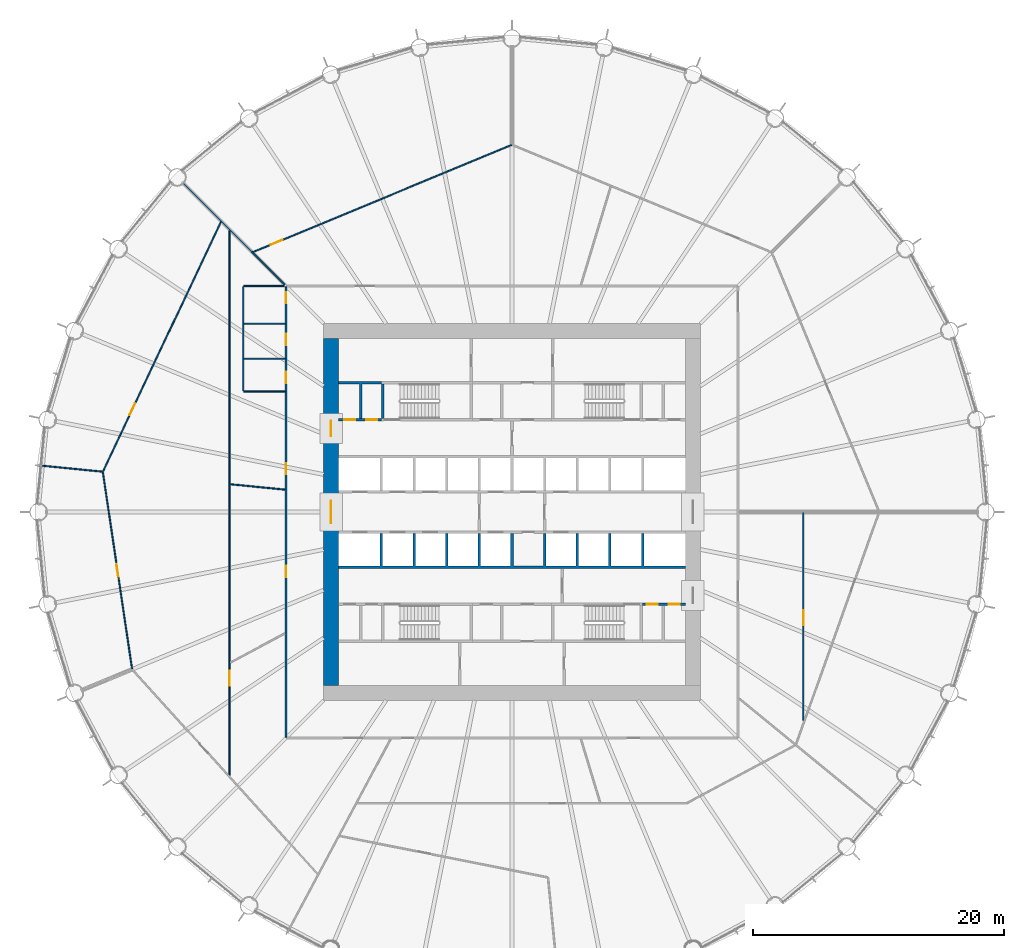
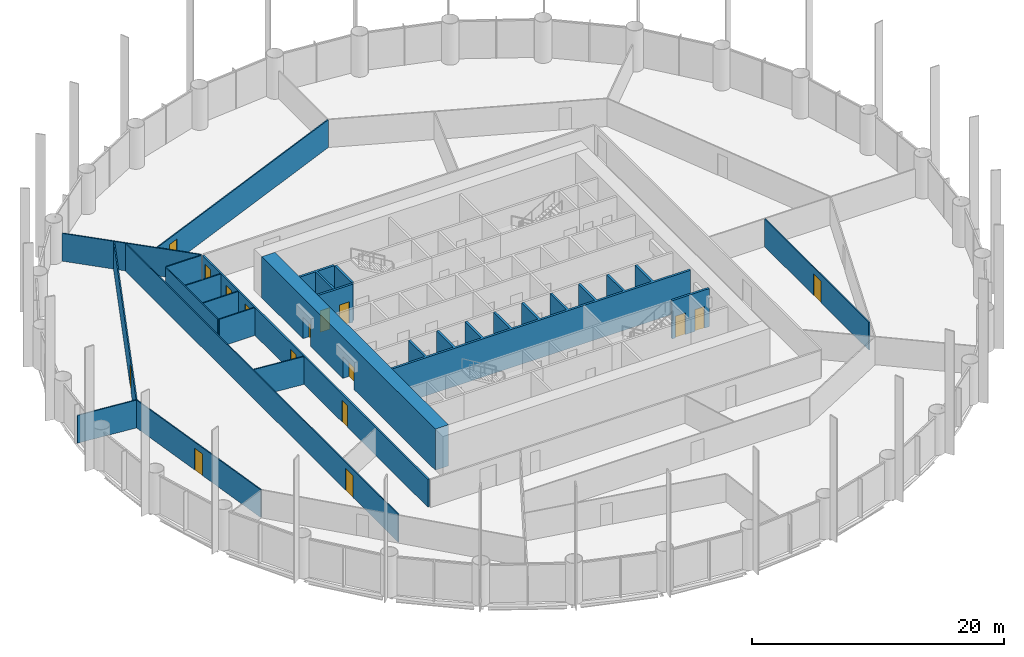
# One storey, part 10 of 15: 20 walls, 16 doors, 16 openings.
"""IFC4 building model written with IfcOpenShell, lengths in metres."""

import ifcopenshell
import ifcopenshell.guid

model = None  # the IFC model being written
_history = None  # IfcOwnerHistory: only IFC2X3 demands one
_inside = {}  # id of a spatial element -> (the spatial element, [elements in it])
_under = {}  # id of a project, library or spatial element -> (it, [spatial elements below it])
_declared = {}  # id of a project -> (the project, [libraries it declares])
_typed = {}  # id of a type object -> (the type object, [elements of that type])
_made_of = {}  # id of a material, layer set ... -> (it, [elements and type objects made of it])


def new_model(schema):
    """Start an empty IFC model of exactly this schema.

    Asked for "IFC4X3", IfcOpenShell would pick the latest addendum, in which some entities
    have other attributes; the version numbers below select the first issue.
    IFC2X3 requires an IfcOwnerHistory on every rooted entity: one is made here for all.
    """
    global model, _history
    if schema == "IFC4X3":
        model = ifcopenshell.file(schema_version=(4, 3, 0, 0))
    else:
        model = ifcopenshell.file(schema=schema)
    _inside.clear()
    _under.clear()
    _declared.clear()
    _typed.clear()
    _made_of.clear()
    _history = None
    if model.schema == "IFC2X3":
        org = make("IfcOrganization", Name="unknown")
        user = make(
            "IfcPersonAndOrganization",
            ThePerson=make("IfcPerson", FamilyName="unknown"),
            TheOrganization=org,
        )
        app = make(
            "IfcApplication",
            ApplicationDeveloper=org,
            Version="unknown",
            ApplicationFullName="unknown",
            ApplicationIdentifier="unknown",
        )
        _history = make(
            "IfcOwnerHistory",
            OwningUser=user,
            OwningApplication=app,
            ChangeAction="ADDED",
            CreationDate=0,
        )
    return model


def make(cls, **values):
    """One entity of the class cls with the attributes given. An attribute that is None is left unset."""
    return model.create_entity(
        cls, **{name: value for name, value in values.items() if value is not None}
    )


def rooted(cls, **values):
    """An entity with a GlobalId (a new one), such as an element, a storey or a relation."""
    return make(cls, GlobalId=ifcopenshell.guid.new(), OwnerHistory=_history, **values)


def si_unit(unit_type, name, prefix=None):
    """IfcSIUnit, for example si_unit("LENGTHUNIT", "METRE", prefix="MILLI")."""
    return make("IfcSIUnit", UnitType=unit_type, Prefix=prefix, Name=name)


def assignment(units):
    """IfcUnitAssignment: the units of a project."""
    return None if units is None else make("IfcUnitAssignment", Units=units)


def point(xyz):
    """IfcCartesianPoint."""
    return None if xyz is None else make("IfcCartesianPoint", Coordinates=xyz)


def direction(xyz):
    """IfcDirection."""
    return None if xyz is None else make("IfcDirection", DirectionRatios=xyz)


def frame(location, z_axis=None, x_axis=None):
    """IfcAxis2Placement3D, a coordinate frame: its origin and axes. An axis left out is left unset."""
    return make(
        "IfcAxis2Placement3D",
        Location=point(location),
        Axis=direction(z_axis),
        RefDirection=direction(x_axis),
    )


def frame_2d(location, x_axis=None):
    """IfcAxis2Placement2D, a coordinate frame in the plane: its origin and x axis."""
    return make(
        "IfcAxis2Placement2D", Location=point(location), RefDirection=direction(x_axis)
    )


def origin():
    """The frame at (0, 0, 0) with its axes left unset."""
    return frame((0.0, 0.0, 0.0))


def place(relative_to, where):
    """IfcLocalPlacement: puts the frame where relative to a parent placement (None: the world)."""
    return make(
        "IfcLocalPlacement", PlacementRelTo=relative_to, RelativePlacement=where
    )


def context(
    kind, dimensions, precision=None, world=None, true_north=None, identifier=None
):
    """IfcGeometricRepresentationContext, for example the 3D "Model" context."""
    return make(
        "IfcGeometricRepresentationContext",
        ContextIdentifier=identifier,
        ContextType=kind,
        CoordinateSpaceDimension=dimensions,
        Precision=precision,
        WorldCoordinateSystem=world,
        TrueNorth=true_north,
    )


def subcontext(parent, identifier, kind, view, scale=None):
    """IfcGeometricRepresentationSubContext, for example "Body" below "Model"."""
    return make(
        "IfcGeometricRepresentationSubContext",
        ContextIdentifier=identifier,
        ContextType=kind,
        ParentContext=parent,
        TargetScale=scale,
        TargetView=view,
    )


def project(units=None, contexts=None):
    """IfcProject with its units and contexts."""
    return rooted(
        "IfcProject",
        Name="project",
        RepresentationContexts=contexts,
        UnitsInContext=assignment(units),
    )


def spatial(cls, under=None, at=None, **own):
    """A site, building, storey or space (cls), placed at a placement, below another one or the project."""
    s = rooted(cls, ObjectPlacement=at, **own)
    if under is not None:
        _under.setdefault(under.id(), (under, []))[1].append(s)
    return s


def polyline(points):
    """IfcPolyline through the points."""
    return make("IfcPolyline", Points=[point(p) for p in points])


def profile(cls, at=None, kind="AREA", **sizes):
    """A parametric profile (cls). Its sizes go by their IFC names, for example OverallWidth=200.0."""
    return make(cls, ProfileType=kind, Position=at, **sizes)


def rectangle(**sizes):
    """IfcRectangleProfileDef."""
    return profile("IfcRectangleProfileDef", **sizes)


def outline(outer, holes=None, kind="AREA"):
    """IfcArbitraryClosedProfileDef: a profile drawn as a closed curve; with holes, ...WithVoids."""
    if holes is None:
        return make("IfcArbitraryClosedProfileDef", ProfileType=kind, OuterCurve=outer)
    return make(
        "IfcArbitraryProfileDefWithVoids",
        ProfileType=kind,
        OuterCurve=outer,
        InnerCurves=holes,
    )


def extrude(swept, where, along, depth):
    """IfcExtrudedAreaSolid: the profile swept, set in the frame where, extruded along a direction by depth."""
    return make(
        "IfcExtrudedAreaSolid",
        SweptArea=swept,
        Position=where,
        ExtrudedDirection=direction(along),
        Depth=depth,
    )


def shape(context_of_items, identifier, shape_type, items):
    """IfcShapeRepresentation: the items that make up one representation, for example the "Body"."""
    return make(
        "IfcShapeRepresentation",
        ContextOfItems=context_of_items,
        RepresentationIdentifier=identifier,
        RepresentationType=shape_type,
        Items=items,
    )


def material(Name=None, Category=None):
    """IfcMaterial."""
    return make("IfcMaterial", Name=Name, Category=Category)


def layer(
    of_material, thickness, ventilated=None, Name=None, Category=None, Priority=None
):
    """IfcMaterialLayer: one layer of a wall or slab, of a material (None: an air gap)."""
    return make(
        "IfcMaterialLayer",
        Material=of_material,
        LayerThickness=thickness,
        IsVentilated=ventilated,
        Name=Name,
        Category=Category,
        Priority=Priority,
    )


def layer_set(layers, Name=None):
    """IfcMaterialLayerSet."""
    return make("IfcMaterialLayerSet", MaterialLayers=layers, LayerSetName=Name)


def made_of(thing, what):
    """Note that an element or type object is made of a material, layer set ...; save() writes the relation."""
    if what is not None:
        _made_of.setdefault(what.id(), (what, []))[1].append(thing)
    return thing


def type_object(cls, material=None, **own):
    """A type object (cls), such as IfcWallType, which elements share."""
    return made_of(rooted(cls, **own), material)


def element(
    cls,
    number,
    at=None,
    inside=None,
    cuts=None,
    type_object=None,
    material=None,
    context=None,
    identifier="Body",
    shape_type=None,
    held_by="IfcProductDefinitionShape",
    body=None,
    shapes=None,
    **own,
):
    """One element of the class cls, such as IfcWall. Its Tag is "e" and its number.

    at: its placement. inside: the storey or other place that contains it. cuts: it is an
    opening in that element (IfcRelVoidsElement). A single representation is given by context,
    identifier, shape_type and body (its items); several are given by shapes. held_by: the class
    of the entity that holds the representations. save() writes the other relations.
    """
    e = rooted(cls, Tag="e%d" % number, ObjectPlacement=at, **own)
    if body is not None:
        shapes = [shape(context, identifier, shape_type, body)]
    if shapes is not None:
        e.Representation = make(held_by, Representations=shapes)
    if inside is not None:
        _inside.setdefault(inside.id(), (inside, []))[1].append(e)
    if cuts is not None:
        rooted(
            "IfcRelVoidsElement", RelatingBuildingElement=cuts, RelatedOpeningElement=e
        )
    if type_object is not None:
        _typed.setdefault(type_object.id(), (type_object, []))[1].append(e)
    return made_of(e, material)


def fill(opening, filler):
    """IfcRelFillsElement: the door or window that sits in an opening."""
    return rooted(
        "IfcRelFillsElement",
        RelatingOpeningElement=opening,
        RelatedBuildingElement=filler,
    )


def aggregate(whole, parts):
    """IfcRelAggregates: a whole, such as a stair, and the parts it consists of."""
    return rooted("IfcRelAggregates", RelatingObject=whole, RelatedObjects=parts)


def save(model, path):
    """Write the relations noted so far, then the file.

    IfcRelAggregates (storeys below a building ...), IfcRelContainedInSpatialStructure (elements
    in a storey), IfcRelDefinesByType, IfcRelAssociatesMaterial and IfcRelDeclares: one each for
    every whole, place, type object, material and project.
    """
    for whole, parts in _under.values():
        aggregate(whole, parts)
    for where, things in _inside.values():
        rooted(
            "IfcRelContainedInSpatialStructure",
            RelatedElements=things,
            RelatingStructure=where,
        )
    for kind, things in _typed.values():
        rooted("IfcRelDefinesByType", RelatedObjects=things, RelatingType=kind)
    for what, things in _made_of.values():
        rooted("IfcRelAssociatesMaterial", RelatedObjects=things, RelatingMaterial=what)
    for by, libraries in _declared.values():
        rooted("IfcRelDeclares", RelatingContext=by, RelatedDefinitions=libraries)
    model.write(path)


model = new_model("IFC4")

# Units and contexts
model_context = context("Model", 3, precision=1e-05, world=origin(), true_north=direction((0.0, 1.0)))
body_context = subcontext(model_context, "Body", "Model", "MODEL_VIEW")
ifc_project = project(units=[si_unit("LENGTHUNIT", "METRE"), si_unit("AREAUNIT", "SQUARE_METRE"), si_unit("VOLUMEUNIT", "CUBIC_METRE"), si_unit("PLANEANGLEUNIT", "RADIAN"), si_unit("MASSUNIT", "GRAM", prefix="KILO")], contexts=[model_context])

# Site, building, storey
site_placement = place(None, origin())
site = spatial("IfcSite", under=ifc_project, at=site_placement, CompositionType="ELEMENT")
building_placement = place(site_placement, origin())
building = spatial("IfcBuilding", under=site, at=building_placement, Name="Corvane Civic Tower", CompositionType="ELEMENT")
storey_placement = place(building_placement, frame((0.0, 0.0, 65.0)))
storey = spatial("IfcBuildingStorey", under=building, at=storey_placement, Name="L14", CompositionType="ELEMENT", Elevation=65.0)

# Wall, openings, doors
ifc_material_1 = material(Name="Concrete C80/95", Category="concrete")
ifc_layer_1 = layer(ifc_material_1, 1.199951171875)
ifc_layer_set_1 = layer_set([ifc_layer_1], Name="Concrete C80/95")
wall_type_1 = type_object("IfcWallType", Name="CORE WALL 1200 C80/95", PredefinedType="SHEAR", material=ifc_layer_set_1)
wall_1_placement = place(storey_placement, frame((-14.39990234375, -13.800048828125, 0.0), z_axis=(0.0, 0.0, 1.0), x_axis=(0.0, 1.0, 0.0)))
wall_1 = element("IfcWall", 1, at=wall_1_placement, inside=storey, type_object=wall_type_1, Name="W-L14-core-W", PredefinedType="SHEAR", context=body_context, shape_type="SweptSolid", body=[
    extrude(rectangle(XDim=27.60009765625, YDim=1.199951171875, at=frame_2d((13.800048828125, 0.0))), origin(), (0.0, 0.0, 1.0), 4.0),
])
opening_1_placement = place(wall_1_placement, frame((12.89990234375, 0.0, 0.0)))
opening_1 = element("IfcOpeningElement", 2, at=opening_1_placement, cuts=wall_1, Name="Opening L14.C28", PredefinedType="OPENING", context=body_context, shape_type="SweptSolid", body=[
    extrude(rectangle(XDim=1.800048828125, YDim=2.10009765625, at=frame_2d((0.89990234375, 1.050048828125))), frame((0.0, 0.60986328125, 0.0), z_axis=(0.0, -1.0, 0.0), x_axis=(1.0, 0.0, 0.0)), (0.0, 0.0, 1.0), 1.219970703125),
])
opening_2_placement = place(wall_1_placement, frame((19.85009765625, 0.0, 0.0)))
opening_2 = element("IfcOpeningElement", 3, at=opening_2_placement, cuts=wall_1, Name="Opening L14.C30", PredefinedType="OPENING", context=body_context, shape_type="SweptSolid", body=[
    extrude(rectangle(XDim=1.199951171875, YDim=2.10009765625, at=frame_2d((0.60009765625, 1.050048828125))), frame((0.0, 0.60986328125, 0.0), z_axis=(0.0, -1.0, 0.0), x_axis=(1.0, 0.0, 0.0)), (0.0, 0.0, 1.0), 1.219970703125),
])
ifc_material_2 = material(Name="Steel fire door leaf", Category="steel")
door_type_1 = type_object("IfcDoorType", Name="CR-DOOR-CORE-1800", OperationType="DOUBLE_DOOR_SINGLE_SWING", PredefinedType="DOOR", material=ifc_material_2)
door_1_placement = place(opening_1_placement, origin())
door_1 = element("IfcDoor", 4, at=door_1_placement, inside=storey, type_object=door_type_1, Name="L14 door", OperationType="DOUBLE_DOOR_SINGLE_SWING", OverallHeight=2.10009765625, OverallWidth=1.800048828125, PredefinedType="DOOR", context=body_context, shape_type="SweptSolid", body=[
    extrude(rectangle(XDim=1.800048828125, YDim=2.10009765625, at=frame_2d((0.89990234375, 1.050048828125))), frame((0.0, 0.02490234375, 0.0), z_axis=(0.0, -1.0, 0.0), x_axis=(1.0, 0.0, 0.0)), (0.0, 0.0, 1.0), 0.050048828125),
])
fill(opening_1, door_1)
door_2_placement = place(opening_2_placement, origin())
door_2 = element("IfcDoor", 5, at=door_2_placement, inside=storey, type_object=door_type_1, Name="L14 door", OperationType="DOUBLE_DOOR_SINGLE_SWING", OverallHeight=2.10009765625, OverallWidth=1.199951171875, PredefinedType="DOOR", context=body_context, shape_type="SweptSolid", body=[
    extrude(rectangle(XDim=1.199951171875, YDim=2.10009765625, at=frame_2d((0.60009765625, 1.050048828125))), frame((0.0, 0.02490234375, 0.0), z_axis=(0.0, -1.0, 0.0), x_axis=(1.0, 0.0, 0.0)), (0.0, 0.0, 1.0), 0.050048828125),
])
fill(opening_2, door_2)

ifc_material_3 = material(Name="Concrete C30/37", Category="concrete")
ifc_layer_2 = layer(ifc_material_3, 0.199951171875)
ifc_layer_set_2 = layer_set([ifc_layer_2], Name="Concrete C30/37")
wall_type_2 = type_object("IfcWallType", Name="CR-WALL-200", PredefinedType="PARTITIONING", material=ifc_layer_set_2)
wall_2_placement = place(storey_placement, frame((10.39990234375, -7.35009765625, 0.0), z_axis=(0.0, 0.0, 1.0), x_axis=(1.0, 0.0, 0.0)))
wall_2 = element("IfcWall", 6, at=wall_2_placement, inside=storey, type_object=wall_type_2, Name="L14 core partition wall", PredefinedType="PARTITIONING", context=body_context, shape_type="SweptSolid", body=[
    extrude(rectangle(XDim=3.400146484375, YDim=0.199951171875, at=frame_2d((1.7001953125, 0.0))), origin(), (0.0, 0.0, 1.0), 3.699951171875),
])
opening_3_placement = place(wall_2_placement, frame((0.324951171875, 0.0, 0.0)))
opening_3 = element("IfcOpeningElement", 7, at=opening_3_placement, cuts=wall_2, Name="Opening L14.C18", PredefinedType="OPENING", context=body_context, shape_type="SweptSolid", body=[
    extrude(rectangle(XDim=0.89990234375, YDim=2.10009765625, at=frame_2d((0.449951171875, 1.050048828125))), frame((0.0, 0.10986328125, 0.0), z_axis=(0.0, -1.0, 0.0), x_axis=(1.0, 0.0, 0.0)), (0.0, 0.0, 1.0), 0.219970703125),
])
opening_4_placement = place(wall_2_placement, frame((2.074951171875, 0.0, 0.0)))
opening_4 = element("IfcOpeningElement", 8, at=opening_4_placement, cuts=wall_2, Name="Opening L14.C19", PredefinedType="OPENING", context=body_context, shape_type="SweptSolid", body=[
    extrude(rectangle(XDim=0.89990234375, YDim=2.10009765625, at=frame_2d((0.449951171875, 1.050048828125))), frame((0.0, 0.10986328125, 0.0), z_axis=(0.0, -1.0, 0.0), x_axis=(1.0, 0.0, 0.0)), (0.0, 0.0, 1.0), 0.219970703125),
])
ifc_material_4 = material(Name="Steel fire door leaf", Category="steel")
door_type_2 = type_object("IfcDoorType", Name="CR-DOOR-900", OperationType="SINGLE_SWING_LEFT", PredefinedType="DOOR", material=ifc_material_4)
door_3_placement = place(opening_3_placement, origin())
door_3 = element("IfcDoor", 9, at=door_3_placement, inside=storey, type_object=door_type_2, Name="L14 door", OperationType="SINGLE_SWING_LEFT", OverallHeight=2.10009765625, OverallWidth=0.89990234375, PredefinedType="DOOR", context=body_context, shape_type="SweptSolid", body=[
    extrude(rectangle(XDim=0.89990234375, YDim=2.10009765625, at=frame_2d((0.449951171875, 1.050048828125))), frame((0.0, 0.02490234375, 0.0), z_axis=(0.0, -1.0, 0.0), x_axis=(1.0, 0.0, 0.0)), (0.0, 0.0, 1.0), 0.050048828125),
])
fill(opening_3, door_3)
door_4_placement = place(opening_4_placement, origin())
door_4 = element("IfcDoor", 10, at=door_4_placement, inside=storey, type_object=door_type_2, Name="L14 door", OperationType="SINGLE_SWING_LEFT", OverallHeight=2.10009765625, OverallWidth=0.89990234375, PredefinedType="DOOR", context=body_context, shape_type="SweptSolid", body=[
    extrude(rectangle(XDim=0.89990234375, YDim=2.10009765625, at=frame_2d((0.449951171875, 1.050048828125))), frame((0.0, 0.02490234375, 0.0), z_axis=(0.0, -1.0, 0.0), x_axis=(1.0, 0.0, 0.0)), (0.0, 0.0, 1.0), 0.050048828125),
])
fill(opening_4, door_4)

wall_3_placement = place(storey_placement, frame((-13.800048828125, 7.35009765625, 0.0), z_axis=(0.0, 0.0, 1.0), x_axis=(1.0, 0.0, 0.0)))
wall_3 = element("IfcWall", 11, at=wall_3_placement, inside=storey, type_object=wall_type_2, Name="L14 core partition wall", PredefinedType="PARTITIONING", context=body_context, shape_type="SweptSolid", body=[
    extrude(rectangle(XDim=3.400146484375, YDim=0.199951171875, at=frame_2d((1.7001953125, 0.0))), origin(), (0.0, 0.0, 1.0), 3.699951171875),
])
opening_5_placement = place(wall_3_placement, frame((0.425048828125, 0.0, 0.0)))
opening_5 = element("IfcOpeningElement", 12, at=opening_5_placement, cuts=wall_3, Name="Opening L14.C12", PredefinedType="OPENING", context=body_context, shape_type="SweptSolid", body=[
    extrude(rectangle(XDim=0.89990234375, YDim=2.10009765625, at=frame_2d((0.449951171875, 1.050048828125))), frame((0.0, 0.10986328125, 0.0), z_axis=(0.0, -1.0, 0.0), x_axis=(1.0, 0.0, 0.0)), (0.0, 0.0, 1.0), 0.219970703125),
])
opening_6_placement = place(wall_3_placement, frame((2.175048828125, 0.0, 0.0)))
opening_6 = element("IfcOpeningElement", 13, at=opening_6_placement, cuts=wall_3, Name="Opening L14.C13", PredefinedType="OPENING", context=body_context, shape_type="SweptSolid", body=[
    extrude(rectangle(XDim=0.89990234375, YDim=2.10009765625, at=frame_2d((0.449951171875, 1.050048828125))), frame((0.0, 0.10986328125, 0.0), z_axis=(0.0, -1.0, 0.0), x_axis=(1.0, 0.0, 0.0)), (0.0, 0.0, 1.0), 0.219970703125),
])
door_5_placement = place(opening_5_placement, origin())
door_5 = element("IfcDoor", 14, at=door_5_placement, inside=storey, type_object=door_type_2, Name="L14 door", OperationType="SINGLE_SWING_LEFT", OverallHeight=2.10009765625, OverallWidth=0.89990234375, PredefinedType="DOOR", context=body_context, shape_type="SweptSolid", body=[
    extrude(rectangle(XDim=0.89990234375, YDim=2.10009765625, at=frame_2d((0.449951171875, 1.050048828125))), frame((0.0, 0.02490234375, 0.0), z_axis=(0.0, -1.0, 0.0), x_axis=(1.0, 0.0, 0.0)), (0.0, 0.0, 1.0), 0.050048828125),
])
fill(opening_5, door_5)
door_6_placement = place(opening_6_placement, origin())
door_6 = element("IfcDoor", 15, at=door_6_placement, inside=storey, type_object=door_type_2, Name="L14 door", OperationType="SINGLE_SWING_LEFT", OverallHeight=2.10009765625, OverallWidth=0.89990234375, PredefinedType="DOOR", context=body_context, shape_type="SweptSolid", body=[
    extrude(rectangle(XDim=0.89990234375, YDim=2.10009765625, at=frame_2d((0.449951171875, 1.050048828125))), frame((0.0, 0.02490234375, 0.0), z_axis=(0.0, -1.0, 0.0), x_axis=(1.0, 0.0, 0.0)), (0.0, 0.0, 1.0), 0.050048828125),
])
fill(opening_6, door_6)

# Walls
wall_4_placement = place(storey_placement, origin())
element("IfcWall", 16, at=wall_4_placement, inside=storey, type_object=wall_type_2, Name="L14 core partition wall", PredefinedType="PARTITIONING", context=body_context, shape_type="SweptSolid", body=[
    extrude(outline(polyline([(-13.800048828125, 10.39990234375), (-10.39990234375, 10.39990234375), (-10.39990234375, 10.199951171875), (-11.949951171875, 10.199951171875), (-11.949951171875, 7.449951171875), (-12.14990234375, 7.449951171875), (-12.14990234375, 10.199951171875), (-13.800048828125, 10.199951171875), (-13.800048828125, 10.39990234375)])), origin(), (0.0, 0.0, 1.0), 3.699951171875),
])
wall_5_placement = place(storey_placement, origin())
element("IfcWall", 17, at=wall_5_placement, inside=storey, type_object=wall_type_2, Name="L14 core partition wall", PredefinedType="PARTITIONING", context=body_context, shape_type="SweptSolid", body=[
    extrude(outline(polyline([(-10.300048828125, -1.699951171875), (-10.300048828125, -4.300048828125), (-7.89990234375, -4.300048828125), (-7.89990234375, -1.699951171875), (-7.699951171875, -1.699951171875), (-7.699951171875, -4.300048828125), (-5.300048828125, -4.300048828125), (-5.300048828125, -1.699951171875), (-5.10009765625, -1.699951171875), (-5.10009765625, -4.300048828125), (-2.699951171875, -4.300048828125), (-2.699951171875, -1.699951171875), (-2.5, -1.699951171875), (-2.5, -4.300048828125), (-0.10009765625, -4.300048828125), (-0.10009765625, -1.699951171875), (0.10009765625, -1.699951171875), (0.10009765625, -4.300048828125), (2.5, -4.300048828125), (2.5, -1.699951171875), (2.699951171875, -1.699951171875), (2.699951171875, -4.300048828125), (5.10009765625, -4.300048828125), (5.10009765625, -1.699951171875), (5.300048828125, -1.699951171875), (5.300048828125, -4.300048828125), (7.699951171875, -4.300048828125), (7.699951171875, -1.699951171875), (7.89990234375, -1.699951171875), (7.89990234375, -4.300048828125), (10.300048828125, -4.300048828125), (10.300048828125, -1.699951171875), (10.5, -1.699951171875), (10.5, -4.300048828125), (13.800048828125, -4.300048828125), (13.800048828125, -4.5), (-13.800048828125, -4.5), (-13.800048828125, -4.300048828125), (-10.5, -4.300048828125), (-10.5, -1.699951171875), (-10.300048828125, -1.699951171875)])), origin(), (0.0, 0.0, 1.0), 3.699951171875),
])

# Wall, opening, door
ifc_material_5 = material(Name="Plasterboard")
ifc_layer_3 = layer(ifc_material_5, 0.10009765625)
ifc_layer_set_3 = layer_set([ifc_layer_3], Name="Plasterboard")
wall_type_3 = type_object("IfcWallType", Name="Partition 100 plasterboard on studs", PredefinedType="PARTITIONING", material=ifc_layer_set_3)
wall_6_placement = place(storey_placement, frame((-22.5, -20.953369140625, 0.0), z_axis=(0.0, 0.0, 1.0), x_axis=(0.0, 1.0, 0.0)))
wall_6 = element("IfcWall", 18, at=wall_6_placement, inside=storey, type_object=wall_type_3, Name="Partition L14.010", PredefinedType="PARTITIONING", context=body_context, shape_type="SweptSolid", body=[
    extrude(rectangle(XDim=43.332763671875, YDim=0.10009765625, at=frame_2d((21.66650390625, 0.0))), origin(), (0.0, 0.0, 1.0), 2.699951171875),
])
opening_7_placement = place(wall_6_placement, frame((7.12939453125, 0.0, 0.0)))
opening_7 = element("IfcOpeningElement", 19, at=opening_7_placement, cuts=wall_6, Name="Opening L14.011", PredefinedType="OPENING", context=body_context, shape_type="SweptSolid", body=[
    extrude(rectangle(XDim=1.199951171875, YDim=2.10009765625, at=frame_2d((0.60009765625, 1.050048828125))), frame((0.0, 0.06005859375, 0.0), z_axis=(0.0, -1.0, 0.0), x_axis=(1.0, 0.0, 0.0)), (0.0, 0.0, 1.0), 0.1201171875),
])
ifc_material_6 = material(Name="Timber", Category="wood")
door_type_3 = type_object("IfcDoorType", Name="Double door 1200", OperationType="NOTDEFINED", PredefinedType="DOOR", material=ifc_material_6)
door_7_placement = place(opening_7_placement, origin())
door_7 = element("IfcDoor", 20, at=door_7_placement, inside=storey, type_object=door_type_3, Name="Door L14.011", OperationType="DOUBLE_DOOR_SINGLE_SWING", OverallHeight=2.10009765625, OverallWidth=1.199951171875, PredefinedType="DOOR", context=body_context, shape_type="SweptSolid", body=[
    extrude(rectangle(XDim=1.199951171875, YDim=2.10009765625, at=frame_2d((0.60009765625, 1.050048828125))), frame((0.0, 0.02490234375, 0.0), z_axis=(0.0, -1.0, 0.0), x_axis=(1.0, 0.0, 0.0)), (0.0, 0.0, 1.0), 0.050048828125),
])
fill(opening_7, door_7)

wall_7_placement = place(storey_placement, frame((23.199951171875, -16.591796875, 0.0), z_axis=(0.0, 0.0, 1.0), x_axis=(0.0, 1.0, 0.0)))
wall_7 = element("IfcWall", 21, at=wall_7_placement, inside=storey, type_object=wall_type_3, Name="Partition L14.015", PredefinedType="PARTITIONING", context=body_context, shape_type="SweptSolid", body=[
    extrude(rectangle(XDim=16.541748046875, YDim=0.10009765625, at=frame_2d((8.27099609375, 0.0))), origin(), (0.0, 0.0, 1.0), 2.699951171875),
])
opening_8_placement = place(wall_7_placement, frame((7.56396484375, 0.0, 0.0)))
opening_8 = element("IfcOpeningElement", 22, at=opening_8_placement, cuts=wall_7, Name="Opening L14.003", PredefinedType="OPENING", context=body_context, shape_type="SweptSolid", body=[
    extrude(rectangle(XDim=1.199951171875, YDim=2.10009765625, at=frame_2d((0.60009765625, 1.050048828125))), frame((0.0, 0.06005859375, 0.0), z_axis=(0.0, -1.0, 0.0), x_axis=(1.0, 0.0, 0.0)), (0.0, 0.0, 1.0), 0.1201171875),
])
door_8_placement = place(opening_8_placement, frame((1.199951171875, 0.0, 0.0), z_axis=(0.0, 0.0, 1.0), x_axis=(-1.0, 0.0, 0.0)))
door_8 = element("IfcDoor", 23, at=door_8_placement, inside=storey, type_object=door_type_3, Name="Door L14.003", OperationType="DOUBLE_DOOR_SINGLE_SWING", OverallHeight=2.10009765625, OverallWidth=1.199951171875, PredefinedType="DOOR", context=body_context, shape_type="SweptSolid", body=[
    extrude(rectangle(XDim=1.199951171875, YDim=2.10009765625, at=frame_2d((0.60009765625, 1.050048828125))), frame((0.0, 0.02490234375, 0.0), z_axis=(0.0, -1.0, 0.0), x_axis=(1.0, 0.0, 0.0)), (0.0, 0.0, 1.0), 0.050048828125),
])
fill(opening_8, door_8)

wall_8_placement = place(storey_placement, frame((-32.58056640625, 3.1708984375, 0.0), z_axis=(0.0, 0.0, 1.0), x_axis=(0.146738088934, -0.989175380434, 0.0)))
wall_8 = element("IfcWall", 24, at=wall_8_placement, inside=storey, type_object=wall_type_3, Name="Partition L14.017", PredefinedType="PARTITIONING", context=body_context, shape_type="SweptSolid", body=[
    extrude(rectangle(XDim=15.834228515625, YDim=0.10009765625, at=frame_2d((7.9169921875, 0.0))), origin(), (0.0, 0.0, 1.0), 2.699951171875),
])
opening_9_placement = place(wall_8_placement, frame((7.431396484375, 0.0, 0.0)))
opening_9 = element("IfcOpeningElement", 25, at=opening_9_placement, cuts=wall_8, Name="Opening L14.009", PredefinedType="OPENING", context=body_context, shape_type="SweptSolid", body=[
    extrude(rectangle(XDim=1.0, YDim=2.10009765625, at=frame_2d((0.5, 1.050048828125))), frame((0.0, 0.06005859375, 0.0), z_axis=(0.0, -1.0, 0.0), x_axis=(1.0, 0.0, 0.0)), (0.0, 0.0, 1.0), 0.1201171875),
])
ifc_material_7 = material(Name="Timber", Category="wood")
door_type_4 = type_object("IfcDoorType", Name="Single door 1000", OperationType="NOTDEFINED", PredefinedType="DOOR", material=ifc_material_7)
door_9_placement = place(opening_9_placement, frame((1.0, 0.0, 0.0), z_axis=(0.0, 0.0, 1.0), x_axis=(-1.0, 0.0, 0.0)))
door_9 = element("IfcDoor", 26, at=door_9_placement, inside=storey, type_object=door_type_4, Name="Door L14.009", OperationType="SINGLE_SWING_LEFT", OverallHeight=2.10009765625, OverallWidth=1.0, PredefinedType="DOOR", context=body_context, shape_type="SweptSolid", body=[
    extrude(rectangle(XDim=1.0, YDim=2.10009765625, at=frame_2d((0.5, 1.050048828125))), frame((0.0, 0.02490234375, 0.0), z_axis=(0.0, -1.0, 0.0), x_axis=(1.0, 0.0, 0.0)), (0.0, 0.0, 1.0), 0.050048828125),
])
fill(opening_9, door_9)

# Walls
wall_9_placement = place(storey_placement, frame((-22.445068359375, 2.210693359375, 0.0), z_axis=(0.0, 0.0, 1.0), x_axis=(0.995184869418, -0.098015690998, 0.0)))
element("IfcWall", 27, at=wall_9_placement, inside=storey, type_object=wall_type_3, Name="Partition L14.021", PredefinedType="PARTITIONING", context=body_context, shape_type="SweptSolid", body=[
    extrude(rectangle(XDim=4.386474609375, YDim=0.10009765625, at=frame_2d((2.193359375, 0.0))), origin(), (0.0, 0.0, 1.0), 2.699951171875),
])
wall_10_placement = place(storey_placement, frame((-37.767333984375, 3.7197265625, 0.0), z_axis=(0.0, 0.0, 1.0), x_axis=(0.995187143371, -0.097992600074, 0.0)))
element("IfcWall", 28, at=wall_10_placement, inside=storey, type_object=wall_type_3, Name="Partition L14.022", PredefinedType="PARTITIONING", context=body_context, shape_type="SweptSolid", body=[
    extrude(rectangle(XDim=5.167236328125, YDim=0.10009765625, at=frame_2d((2.58349609375, 0.0))), origin(), (0.0, 0.0, 1.0), 2.699951171875),
])

# Wall, opening, door
wall_11_placement = place(storey_placement, frame((-32.571044921875, 3.2412109375, 0.0), z_axis=(0.0, 0.0, 1.0), x_axis=(0.427545185579, 0.903993979122, 0.0)))
wall_11 = element("IfcWall", 29, at=wall_11_placement, inside=storey, type_object=wall_type_3, Name="Partition L14.023", PredefinedType="PARTITIONING", context=body_context, shape_type="SweptSolid", body=[
    extrude(rectangle(XDim=21.9560546875, YDim=0.10009765625, at=frame_2d((10.97802734375, 0.0))), origin(), (0.0, 0.0, 1.0), 2.699951171875),
])
opening_10_placement = place(wall_11_placement, frame((4.97119140625, 0.0, 0.0)))
opening_10 = element("IfcOpeningElement", 30, at=opening_10_placement, cuts=wall_11, Name="Opening L14.010", PredefinedType="OPENING", context=body_context, shape_type="SweptSolid", body=[
    extrude(rectangle(XDim=1.0, YDim=2.10009765625, at=frame_2d((0.5, 1.050048828125))), frame((0.0, 0.06005859375, 0.0), z_axis=(0.0, -1.0, 0.0), x_axis=(1.0, 0.0, 0.0)), (0.0, 0.0, 1.0), 0.1201171875),
])
door_10_placement = place(opening_10_placement, origin())
door_10 = element("IfcDoor", 31, at=door_10_placement, inside=storey, type_object=door_type_4, Name="Door L14.010", OperationType="SINGLE_SWING_LEFT", OverallHeight=2.10009765625, OverallWidth=1.0, PredefinedType="DOOR", context=body_context, shape_type="SweptSolid", body=[
    extrude(rectangle(XDim=1.0, YDim=2.10009765625, at=frame_2d((0.5, 1.050048828125))), frame((0.0, 0.02490234375, 0.0), z_axis=(0.0, -1.0, 0.0), x_axis=(1.0, 0.0, 0.0)), (0.0, 0.0, 1.0), 0.050048828125),
])
fill(opening_10, door_10)

# Walls
wall_12_placement = place(storey_placement, frame((-21.35009765625, 9.60009765625, 0.0), z_axis=(0.0, 0.0, 1.0), x_axis=(1.0, 0.0, 0.0)))
element("IfcWall", 32, at=wall_12_placement, inside=storey, type_object=wall_type_3, Name="Partition L14.024", PredefinedType="PARTITIONING", context=body_context, shape_type="SweptSolid", body=[
    extrude(rectangle(XDim=3.275146484375, YDim=0.10009765625, at=frame_2d((1.6376953125, 0.0))), origin(), (0.0, 0.0, 1.0), 2.699951171875),
])
wall_13_placement = place(storey_placement, frame((-21.39990234375, 9.64990234375, 0.0), z_axis=(0.0, 0.0, 1.0), x_axis=(0.0, 1.0, 0.0)))
element("IfcWall", 33, at=wall_13_placement, inside=storey, type_object=wall_type_3, Name="Partition L14.025", PredefinedType="PARTITIONING", context=body_context, shape_type="SweptSolid", body=[
    extrude(rectangle(XDim=8.300048828125, YDim=0.10009765625, at=frame_2d((4.14990234375, 0.0))), origin(), (0.0, 0.0, 1.0), 2.699951171875),
])
for number, where, z_axis, x_axis, name in (
    (34, (-21.35009765625, 12.199951171875, 0.0), (0.0, 0.0, 1.0), (1.0, 0.0, 0.0), "Partition L14.026"),
    (35, (-21.35009765625, 15.0, 0.0), (0.0, 0.0, 1.0), (1.0, 0.0, 0.0), "Partition L14.027"),
):
    element("IfcWall", number, at=place(storey_placement, frame(where, z_axis=z_axis, x_axis=x_axis)), inside=storey, type_object=wall_type_3, Name=name, PredefinedType="PARTITIONING", context=body_context, shape_type="SweptSolid", body=[
        extrude(rectangle(XDim=3.275146484375, YDim=0.10009765625, at=frame_2d((1.6376953125, 0.0))), origin(), (0.0, 0.0, 1.0), 2.699951171875),
    ])
wall_14_placement = place(storey_placement, frame((-21.35009765625, 18.0, 0.0), z_axis=(0.0, 0.0, 1.0), x_axis=(1.0, 0.0, 0.0)))
element("IfcWall", 36, at=wall_14_placement, inside=storey, type_object=wall_type_3, Name="Partition L14.028", PredefinedType="PARTITIONING", context=body_context, shape_type="SweptSolid", body=[
    extrude(rectangle(XDim=3.2294921875, YDim=0.10009765625, at=frame_2d((1.61474609375, 0.0))), origin(), (0.0, 0.0, 1.0), 2.699951171875),
])
wall_15_placement = place(storey_placement, frame((-26.156005859375, 26.156005859375, 0.0), z_axis=(0.0, 0.0, 1.0), x_axis=(0.707106781187, -0.707106781187, 0.0)))
element("IfcWall", 37, at=wall_15_placement, inside=storey, type_object=wall_type_3, Name="Partition L14.030", PredefinedType="PARTITIONING", context=body_context, shape_type="SweptSolid", body=[
    extrude(rectangle(XDim=11.41357421875, YDim=0.10009765625, at=frame_2d((5.706787109375, 0.0))), origin(), (0.0, 0.0, 1.0), 2.699951171875),
])

# Wall, opening, door
wall_16_placement = place(storey_placement, frame((-20.606689453125, 20.704345703125, 0.0), z_axis=(0.0, 0.0, 1.0), x_axis=(0.923879883692, 0.382682584539, 0.0)))
wall_16 = element("IfcWall", 38, at=wall_16_placement, inside=storey, type_object=wall_type_3, Name="Partition L14.033", PredefinedType="PARTITIONING", context=body_context, shape_type="SweptSolid", body=[
    extrude(rectangle(XDim=22.27099609375, YDim=0.10009765625, at=frame_2d((11.135498046875, 0.0))), origin(), (0.0, 0.0, 1.0), 2.699951171875),
])
opening_11_placement = place(wall_16_placement, frame((1.513427734375, 0.0, 0.0)))
opening_11 = element("IfcOpeningElement", 39, at=opening_11_placement, cuts=wall_16, Name="Opening L14.018", PredefinedType="OPENING", context=body_context, shape_type="SweptSolid", body=[
    extrude(rectangle(XDim=1.0, YDim=2.10009765625, at=frame_2d((0.5, 1.050048828125))), frame((0.0, 0.06005859375, 0.0), z_axis=(0.0, -1.0, 0.0), x_axis=(1.0, 0.0, 0.0)), (0.0, 0.0, 1.0), 0.1201171875),
])
door_11_placement = place(opening_11_placement, origin())
door_11 = element("IfcDoor", 40, at=door_11_placement, inside=storey, type_object=door_type_4, Name="Door L14.018", OperationType="SINGLE_SWING_LEFT", OverallHeight=2.10009765625, OverallWidth=1.0, PredefinedType="DOOR", context=body_context, shape_type="SweptSolid", body=[
    extrude(rectangle(XDim=1.0, YDim=2.10009765625, at=frame_2d((0.5, 1.050048828125))), frame((0.0, 0.02490234375, 0.0), z_axis=(0.0, -1.0, 0.0), x_axis=(1.0, 0.0, 0.0)), (0.0, 0.0, 1.0), 0.050048828125),
])
fill(opening_11, door_11)

# Wall
ifc_material_8 = material(Name="Concrete C50/60", Category="concrete")
ifc_layer_4 = layer(ifc_material_8, 0.199951171875)
ifc_layer_set_4 = layer_set([ifc_layer_4], Name="Concrete C50/60")
wall_type_4 = type_object("IfcWallType", Name="ST-WALL-200", PredefinedType="SHEAR", material=ifc_layer_set_4)
wall_17_placement = place(storey_placement, origin())
element("IfcWall", 41, at=wall_17_placement, inside=storey, type_object=wall_type_4, Name="L14 stair enclosure wall", PredefinedType="SHEAR", context=body_context, shape_type="SweptSolid", body=[
    extrude(outline(polyline([(-10.199951171875, 7.449951171875), (-10.39990234375, 7.449951171875), (-10.39990234375, 10.199951171875), (-10.199951171875, 10.199951171875), (-10.199951171875, 7.449951171875)])), origin(), (0.0, 0.0, 1.0), 3.699951171875),
])

# Wall, openings, doors
ifc_material_9 = material(Name="Plasterboard")
ifc_layer_5 = layer(ifc_material_9, 0.14990234375)
ifc_layer_set_5 = layer_set([ifc_layer_5], Name="Plasterboard")
wall_type_5 = type_object("IfcWallType", Name="Tenancy wall 150 EI 60", PredefinedType="PARTITIONING", material=ifc_layer_set_5)
wall_18_placement = place(storey_placement, frame((-18.0, -17.925048828125, 0.0), z_axis=(0.0, 0.0, 1.0), x_axis=(0.0, 1.0, 0.0)))
wall_18 = element("IfcWall", 42, at=wall_18_placement, inside=storey, type_object=wall_type_5, Name="Partition L14.013", PredefinedType="PARTITIONING", context=body_context, shape_type="SweptSolid", body=[
    extrude(rectangle(XDim=35.85009765625, YDim=0.14990234375, at=frame_2d((17.925048828125, 0.0))), origin(), (0.0, 0.0, 1.0), 2.699951171875),
])
opening_12_placement = place(wall_18_placement, frame((12.727294921875, 0.0, 0.0)))
opening_12 = element("IfcOpeningElement", 43, at=opening_12_placement, cuts=wall_18, Name="Opening L14.013", PredefinedType="OPENING", context=body_context, shape_type="SweptSolid", body=[
    extrude(rectangle(XDim=0.89990234375, YDim=2.10009765625, at=frame_2d((0.449951171875, 1.050048828125))), frame((0.0, 0.0849609375, 0.0), z_axis=(0.0, -1.0, 0.0), x_axis=(1.0, 0.0, 0.0)), (0.0, 0.0, 1.0), 0.169921875),
])
opening_13_placement = place(wall_18_placement, frame((20.914306640625, 0.0, 0.0)))
opening_13 = element("IfcOpeningElement", 44, at=opening_13_placement, cuts=wall_18, Name="Opening L14.014", PredefinedType="OPENING", context=body_context, shape_type="SweptSolid", body=[
    extrude(rectangle(XDim=0.89990234375, YDim=2.10009765625, at=frame_2d((0.449951171875, 1.050048828125))), frame((0.0, 0.0849609375, 0.0), z_axis=(0.0, -1.0, 0.0), x_axis=(1.0, 0.0, 0.0)), (0.0, 0.0, 1.0), 0.169921875),
])
opening_14_placement = place(wall_18_placement, frame((34.5361328125, 0.0, 0.0)))
opening_14 = element("IfcOpeningElement", 45, at=opening_14_placement, cuts=wall_18, Name="Opening L14.015", PredefinedType="OPENING", context=body_context, shape_type="SweptSolid", body=[
    extrude(rectangle(XDim=0.89990234375, YDim=2.10009765625, at=frame_2d((0.449951171875, 1.050048828125))), frame((0.0, 0.0849609375, 0.0), z_axis=(0.0, -1.0, 0.0), x_axis=(1.0, 0.0, 0.0)), (0.0, 0.0, 1.0), 0.169921875),
])
opening_15_placement = place(wall_18_placement, frame((31.21240234375, 0.0, 0.0)))
opening_15 = element("IfcOpeningElement", 46, at=opening_15_placement, cuts=wall_18, Name="Opening L14.016", PredefinedType="OPENING", context=body_context, shape_type="SweptSolid", body=[
    extrude(rectangle(XDim=0.89990234375, YDim=2.10009765625, at=frame_2d((0.449951171875, 1.050048828125))), frame((0.0, 0.0849609375, 0.0), z_axis=(0.0, -1.0, 0.0), x_axis=(1.0, 0.0, 0.0)), (0.0, 0.0, 1.0), 0.169921875),
])
opening_16_placement = place(wall_18_placement, frame((28.18798828125, 0.0, 0.0)))
opening_16 = element("IfcOpeningElement", 47, at=opening_16_placement, cuts=wall_18, Name="Opening L14.017", PredefinedType="OPENING", context=body_context, shape_type="SweptSolid", body=[
    extrude(rectangle(XDim=0.89990234375, YDim=2.10009765625, at=frame_2d((0.449951171875, 1.050048828125))), frame((0.0, 0.0849609375, 0.0), z_axis=(0.0, -1.0, 0.0), x_axis=(1.0, 0.0, 0.0)), (0.0, 0.0, 1.0), 0.169921875),
])
ifc_material_10 = material(Name="Steel and timber", Category="steel")
door_type_5 = type_object("IfcDoorType", Name="Fire door FD30S 900", OperationType="NOTDEFINED", PredefinedType="DOOR", material=ifc_material_10)
door_12_placement = place(opening_12_placement, origin())
door_12 = element("IfcDoor", 48, at=door_12_placement, inside=storey, type_object=door_type_5, Name="Door L14.013", OperationType="SINGLE_SWING_LEFT", OverallHeight=2.10009765625, OverallWidth=0.89990234375, PredefinedType="DOOR", context=body_context, shape_type="SweptSolid", body=[
    extrude(rectangle(XDim=0.89990234375, YDim=2.10009765625, at=frame_2d((0.449951171875, 1.050048828125))), frame((0.0, 0.02490234375, 0.0), z_axis=(0.0, -1.0, 0.0), x_axis=(1.0, 0.0, 0.0)), (0.0, 0.0, 1.0), 0.050048828125),
])
fill(opening_12, door_12)
door_13_placement = place(opening_13_placement, origin())
door_13 = element("IfcDoor", 49, at=door_13_placement, inside=storey, type_object=door_type_5, Name="Door L14.014", OperationType="SINGLE_SWING_RIGHT", OverallHeight=2.10009765625, OverallWidth=0.89990234375, PredefinedType="DOOR", context=body_context, shape_type="SweptSolid", body=[
    extrude(rectangle(XDim=0.89990234375, YDim=2.10009765625, at=frame_2d((0.449951171875, 1.050048828125))), frame((0.0, 0.02490234375, 0.0), z_axis=(0.0, -1.0, 0.0), x_axis=(1.0, 0.0, 0.0)), (0.0, 0.0, 1.0), 0.050048828125),
])
fill(opening_13, door_13)
door_14_placement = place(opening_14_placement, origin())
door_14 = element("IfcDoor", 50, at=door_14_placement, inside=storey, type_object=door_type_5, Name="Door L14.015", OperationType="SINGLE_SWING_LEFT", OverallHeight=2.10009765625, OverallWidth=0.89990234375, PredefinedType="DOOR", context=body_context, shape_type="SweptSolid", body=[
    extrude(rectangle(XDim=0.89990234375, YDim=2.10009765625, at=frame_2d((0.449951171875, 1.050048828125))), frame((0.0, 0.02490234375, 0.0), z_axis=(0.0, -1.0, 0.0), x_axis=(1.0, 0.0, 0.0)), (0.0, 0.0, 1.0), 0.050048828125),
])
fill(opening_14, door_14)
door_15_placement = place(opening_15_placement, origin())
door_15 = element("IfcDoor", 51, at=door_15_placement, inside=storey, type_object=door_type_5, Name="Door L14.016", OperationType="SINGLE_SWING_LEFT", OverallHeight=2.10009765625, OverallWidth=0.89990234375, PredefinedType="DOOR", context=body_context, shape_type="SweptSolid", body=[
    extrude(rectangle(XDim=0.89990234375, YDim=2.10009765625, at=frame_2d((0.449951171875, 1.050048828125))), frame((0.0, 0.02490234375, 0.0), z_axis=(0.0, -1.0, 0.0), x_axis=(1.0, 0.0, 0.0)), (0.0, 0.0, 1.0), 0.050048828125),
])
fill(opening_15, door_15)
door_16_placement = place(opening_16_placement, origin())
door_16 = element("IfcDoor", 52, at=door_16_placement, inside=storey, type_object=door_type_5, Name="Door L14.017", OperationType="SINGLE_SWING_RIGHT", OverallHeight=2.10009765625, OverallWidth=0.89990234375, PredefinedType="DOOR", context=body_context, shape_type="SweptSolid", body=[
    extrude(rectangle(XDim=0.89990234375, YDim=2.10009765625, at=frame_2d((0.449951171875, 1.050048828125))), frame((0.0, 0.02490234375, 0.0), z_axis=(0.0, -1.0, 0.0), x_axis=(1.0, 0.0, 0.0)), (0.0, 0.0, 1.0), 0.050048828125),
])
fill(opening_16, door_16)

save(model, "model.ifc")
